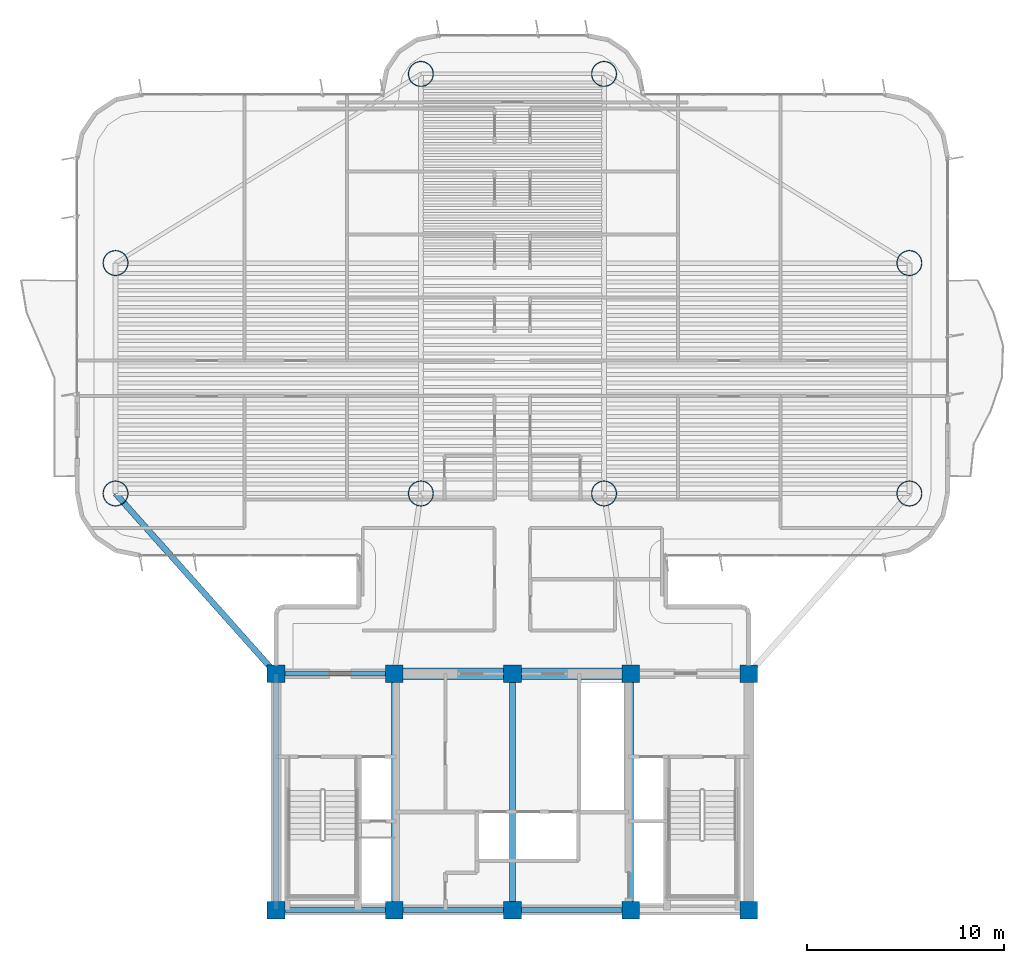
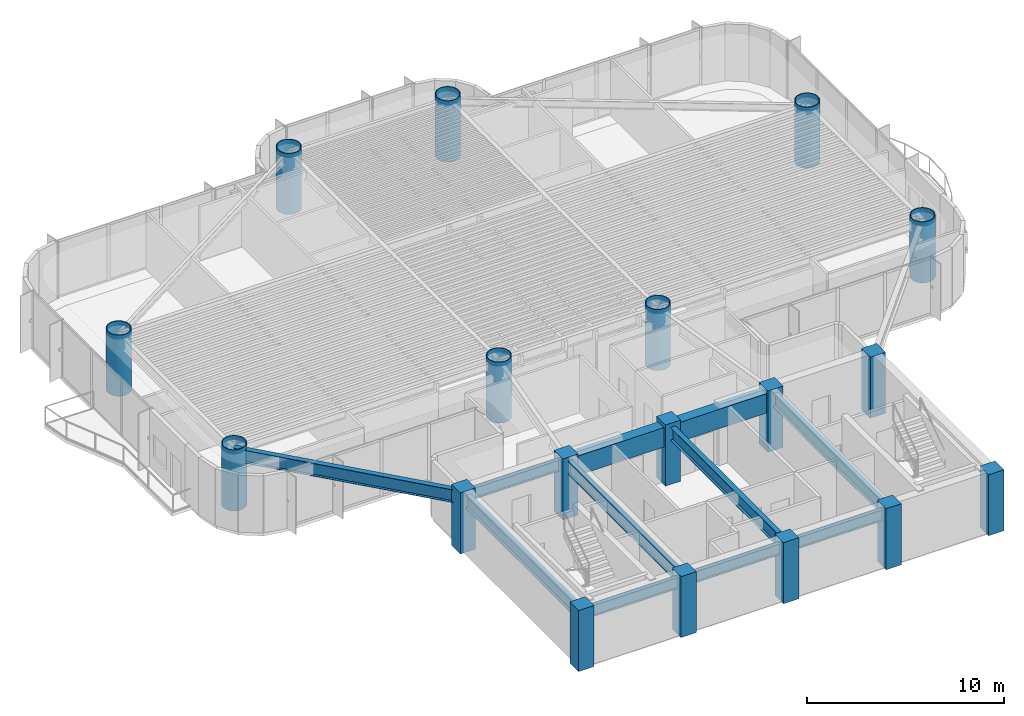
# One storey, part 1 of 16: 18 columns, 10 beams.
"""IFC4 building model written with IfcOpenShell, lengths in metres."""

import ifcopenshell
import ifcopenshell.guid

model = None  # the IFC model being written
_history = None  # IfcOwnerHistory: only IFC2X3 demands one
_inside = {}  # id of a spatial element -> (the spatial element, [elements in it])
_under = {}  # id of a project, library or spatial element -> (it, [spatial elements below it])
_declared = {}  # id of a project -> (the project, [libraries it declares])
_typed = {}  # id of a type object -> (the type object, [elements of that type])
_made_of = {}  # id of a material, layer set ... -> (it, [elements and type objects made of it])


def new_model(schema):
    """Start an empty IFC model of exactly this schema.

    Asked for "IFC4X3", IfcOpenShell would pick the latest addendum, in which some entities
    have other attributes; the version numbers below select the first issue.
    IFC2X3 requires an IfcOwnerHistory on every rooted entity: one is made here for all.
    """
    global model, _history
    if schema == "IFC4X3":
        model = ifcopenshell.file(schema_version=(4, 3, 0, 0))
    else:
        model = ifcopenshell.file(schema=schema)
    _inside.clear()
    _under.clear()
    _declared.clear()
    _typed.clear()
    _made_of.clear()
    _history = None
    if model.schema == "IFC2X3":
        org = make("IfcOrganization", Name="unknown")
        user = make(
            "IfcPersonAndOrganization",
            ThePerson=make("IfcPerson", FamilyName="unknown"),
            TheOrganization=org,
        )
        app = make(
            "IfcApplication",
            ApplicationDeveloper=org,
            Version="unknown",
            ApplicationFullName="unknown",
            ApplicationIdentifier="unknown",
        )
        _history = make(
            "IfcOwnerHistory",
            OwningUser=user,
            OwningApplication=app,
            ChangeAction="ADDED",
            CreationDate=0,
        )
    return model


def make(cls, **values):
    """One entity of the class cls with the attributes given. An attribute that is None is left unset."""
    return model.create_entity(
        cls, **{name: value for name, value in values.items() if value is not None}
    )


def rooted(cls, **values):
    """An entity with a GlobalId (a new one), such as an element, a storey or a relation."""
    return make(cls, GlobalId=ifcopenshell.guid.new(), OwnerHistory=_history, **values)


def si_unit(unit_type, name, prefix=None):
    """IfcSIUnit, for example si_unit("LENGTHUNIT", "METRE", prefix="MILLI")."""
    return make("IfcSIUnit", UnitType=unit_type, Prefix=prefix, Name=name)


def assignment(units):
    """IfcUnitAssignment: the units of a project."""
    return None if units is None else make("IfcUnitAssignment", Units=units)


def point(xyz):
    """IfcCartesianPoint."""
    return None if xyz is None else make("IfcCartesianPoint", Coordinates=xyz)


def direction(xyz):
    """IfcDirection."""
    return None if xyz is None else make("IfcDirection", DirectionRatios=xyz)


def frame(location, z_axis=None, x_axis=None):
    """IfcAxis2Placement3D, a coordinate frame: its origin and axes. An axis left out is left unset."""
    return make(
        "IfcAxis2Placement3D",
        Location=point(location),
        Axis=direction(z_axis),
        RefDirection=direction(x_axis),
    )


def frame_2d(location, x_axis=None):
    """IfcAxis2Placement2D, a coordinate frame in the plane: its origin and x axis."""
    return make(
        "IfcAxis2Placement2D", Location=point(location), RefDirection=direction(x_axis)
    )


def origin():
    """The frame at (0, 0, 0) with its axes left unset."""
    return frame((0.0, 0.0, 0.0))


def origin_2d():
    """The frame at (0, 0) in the plane with its x axis left unset."""
    return frame_2d((0.0, 0.0))


def place(relative_to, where):
    """IfcLocalPlacement: puts the frame where relative to a parent placement (None: the world)."""
    return make(
        "IfcLocalPlacement", PlacementRelTo=relative_to, RelativePlacement=where
    )


def context(
    kind, dimensions, precision=None, world=None, true_north=None, identifier=None
):
    """IfcGeometricRepresentationContext, for example the 3D "Model" context."""
    return make(
        "IfcGeometricRepresentationContext",
        ContextIdentifier=identifier,
        ContextType=kind,
        CoordinateSpaceDimension=dimensions,
        Precision=precision,
        WorldCoordinateSystem=world,
        TrueNorth=true_north,
    )


def subcontext(parent, identifier, kind, view, scale=None):
    """IfcGeometricRepresentationSubContext, for example "Body" below "Model"."""
    return make(
        "IfcGeometricRepresentationSubContext",
        ContextIdentifier=identifier,
        ContextType=kind,
        ParentContext=parent,
        TargetScale=scale,
        TargetView=view,
    )


def project(units=None, contexts=None):
    """IfcProject with its units and contexts."""
    return rooted(
        "IfcProject",
        Name="project",
        RepresentationContexts=contexts,
        UnitsInContext=assignment(units),
    )


def spatial(cls, under=None, at=None, **own):
    """A site, building, storey or space (cls), placed at a placement, below another one or the project."""
    s = rooted(cls, ObjectPlacement=at, **own)
    if under is not None:
        _under.setdefault(under.id(), (under, []))[1].append(s)
    return s


def profile(cls, at=None, kind="AREA", **sizes):
    """A parametric profile (cls). Its sizes go by their IFC names, for example OverallWidth=200.0."""
    return make(cls, ProfileType=kind, Position=at, **sizes)


def rectangle(**sizes):
    """IfcRectangleProfileDef."""
    return profile("IfcRectangleProfileDef", **sizes)


def hollow_circle(**sizes):
    """IfcCircleHollowProfileDef."""
    return profile("IfcCircleHollowProfileDef", **sizes)


def i_section(**sizes):
    """IfcIShapeProfileDef."""
    return profile("IfcIShapeProfileDef", **sizes)


def extrude(swept, where, along, depth):
    """IfcExtrudedAreaSolid: the profile swept, set in the frame where, extruded along a direction by depth."""
    return make(
        "IfcExtrudedAreaSolid",
        SweptArea=swept,
        Position=where,
        ExtrudedDirection=direction(along),
        Depth=depth,
    )


def shape(context_of_items, identifier, shape_type, items):
    """IfcShapeRepresentation: the items that make up one representation, for example the "Body"."""
    return make(
        "IfcShapeRepresentation",
        ContextOfItems=context_of_items,
        RepresentationIdentifier=identifier,
        RepresentationType=shape_type,
        Items=items,
    )


def source(mapping_origin, context_of_items, identifier, shape_type, items):
    """IfcRepresentationMap: a shape defined once, which mapped items show again and again."""
    return make(
        "IfcRepresentationMap",
        MappingOrigin=mapping_origin,
        MappedRepresentation=shape(context_of_items, identifier, shape_type, items),
    )


def transform(
    local_origin,
    x_axis=None,
    y_axis=None,
    z_axis=None,
    scale=None,
    scale2=None,
    scale3=None,
    uniform=True,
):
    """IfcCartesianTransformationOperator3D, or its non-uniform kind. x_axis, y_axis, z_axis: its Axis1, 2, 3."""
    if uniform:
        return make(
            "IfcCartesianTransformationOperator3D",
            Axis1=direction(x_axis),
            Axis2=direction(y_axis),
            LocalOrigin=point(local_origin),
            Scale=scale,
            Axis3=direction(z_axis),
        )
    return make(
        "IfcCartesianTransformationOperator3DnonUniform",
        Axis1=direction(x_axis),
        Axis2=direction(y_axis),
        LocalOrigin=point(local_origin),
        Scale=scale,
        Axis3=direction(z_axis),
        Scale2=scale2,
        Scale3=scale3,
    )


def mapped(mapping_source, mapping_target):
    """IfcMappedItem: shows the shape of a source again, moved by a transform."""
    return make(
        "IfcMappedItem", MappingSource=mapping_source, MappingTarget=mapping_target
    )


def material(Name=None, Category=None):
    """IfcMaterial."""
    return make("IfcMaterial", Name=Name, Category=Category)


def material_profile(
    of_material, cross_section, Name=None, Category=None, Priority=None
):
    """IfcMaterialProfile: a cross section and its material."""
    return make(
        "IfcMaterialProfile",
        Name=Name,
        Material=of_material,
        Profile=cross_section,
        Priority=Priority,
        Category=Category,
    )


def profile_set(profiles, Name=None, composite=None):
    """IfcMaterialProfileSet."""
    return make(
        "IfcMaterialProfileSet",
        Name=Name,
        MaterialProfiles=profiles,
        CompositeProfile=composite,
    )


def made_of(thing, what):
    """Note that an element or type object is made of a material, layer set ...; save() writes the relation."""
    if what is not None:
        _made_of.setdefault(what.id(), (what, []))[1].append(thing)
    return thing


def type_object(cls, material=None, **own):
    """A type object (cls), such as IfcWallType, which elements share."""
    return made_of(rooted(cls, **own), material)


def element(
    cls,
    number,
    at=None,
    inside=None,
    cuts=None,
    type_object=None,
    material=None,
    context=None,
    identifier="Body",
    shape_type=None,
    held_by="IfcProductDefinitionShape",
    body=None,
    shapes=None,
    **own,
):
    """One element of the class cls, such as IfcWall. Its Tag is "e" and its number.

    at: its placement. inside: the storey or other place that contains it. cuts: it is an
    opening in that element (IfcRelVoidsElement). A single representation is given by context,
    identifier, shape_type and body (its items); several are given by shapes. held_by: the class
    of the entity that holds the representations. save() writes the other relations.
    """
    e = rooted(cls, Tag="e%d" % number, ObjectPlacement=at, **own)
    if body is not None:
        shapes = [shape(context, identifier, shape_type, body)]
    if shapes is not None:
        e.Representation = make(held_by, Representations=shapes)
    if inside is not None:
        _inside.setdefault(inside.id(), (inside, []))[1].append(e)
    if cuts is not None:
        rooted(
            "IfcRelVoidsElement", RelatingBuildingElement=cuts, RelatedOpeningElement=e
        )
    if type_object is not None:
        _typed.setdefault(type_object.id(), (type_object, []))[1].append(e)
    return made_of(e, material)


def aggregate(whole, parts):
    """IfcRelAggregates: a whole, such as a stair, and the parts it consists of."""
    return rooted("IfcRelAggregates", RelatingObject=whole, RelatedObjects=parts)


def save(model, path):
    """Write the relations noted so far, then the file.

    IfcRelAggregates (storeys below a building ...), IfcRelContainedInSpatialStructure (elements
    in a storey), IfcRelDefinesByType, IfcRelAssociatesMaterial and IfcRelDeclares: one each for
    every whole, place, type object, material and project.
    """
    for whole, parts in _under.values():
        aggregate(whole, parts)
    for where, things in _inside.values():
        rooted(
            "IfcRelContainedInSpatialStructure",
            RelatedElements=things,
            RelatingStructure=where,
        )
    for kind, things in _typed.values():
        rooted("IfcRelDefinesByType", RelatedObjects=things, RelatingType=kind)
    for what, things in _made_of.values():
        rooted("IfcRelAssociatesMaterial", RelatedObjects=things, RelatingMaterial=what)
    for by, libraries in _declared.values():
        rooted("IfcRelDeclares", RelatingContext=by, RelatedDefinitions=libraries)
    model.write(path)


model = new_model("IFC4")

# Units and contexts
model_context = context("Model", 3, precision=1e-05, world=origin(), true_north=direction((0.0, 1.0)))
body_context = subcontext(model_context, "Body", "Model", "MODEL_VIEW")
ifc_project = project(units=[si_unit("LENGTHUNIT", "METRE"), si_unit("AREAUNIT", "SQUARE_METRE"), si_unit("VOLUMEUNIT", "CUBIC_METRE"), si_unit("PLANEANGLEUNIT", "RADIAN"), si_unit("MASSUNIT", "GRAM", prefix="KILO")], contexts=[model_context])

# Site, building, storey
site_placement = place(None, origin())
site = spatial("IfcSite", under=ifc_project, at=site_placement, CompositionType="ELEMENT")
building_placement = place(site_placement, origin())
building = spatial("IfcBuilding", under=site, at=building_placement, Name="Brelvock Crest Care Tower", CompositionType="ELEMENT")
storey_placement = place(building_placement, frame((0.0, 0.0, 104.93994140625)))
storey = spatial("IfcBuildingStorey", under=building, at=storey_placement, Name="L26", CompositionType="ELEMENT", Elevation=104.93994140625)

# Columns
ifc_material_1 = material(Name="Concrete S80 (80 MPa)", Category="concrete")
ifc_material_profile_1 = material_profile(ifc_material_1, rectangle(XDim=0.89990234375, YDim=0.89990234375, at=origin_2d()), Name="RC900x900")
ifc_profile_set_1 = profile_set([ifc_material_profile_1], Name="Concrete S80 (80 MPa)")
column_type_1 = type_object("IfcColumnType", Name="COL-RC2", PredefinedType="COLUMN", material=ifc_profile_set_1)
shared_shape_1 = source(origin(), body_context, "Body", "SweptSolid", [
    extrude(rectangle(XDim=0.89990234375, YDim=0.89990234375, at=origin_2d()), origin(), (0.0, 0.0, 1.0), 3.780029296875),
])
for number, where, z_axis, x_axis, name in (
    (1, (24.0, 6.0, 0.0), (0.0, 0.0, 1.0), (1.0, 0.0, 0.0), "L26 Core Column CC-01"),
    (2, (30.0, 6.0, 0.0), (0.0, 0.0, 1.0), (1.0, 0.0, 0.0), "L26 Core Column CC-02"),
    (3, (36.0, 6.0, 0.0), (0.0, 0.0, 1.0), (1.0, 0.0, 0.0), "L26 Core Column CC-03"),
    (4, (42.0, 6.0, 0.0), (0.0, 0.0, 1.0), (1.0, 0.0, 0.0), "L26 Core Column CC-04"),
    (5, (48.0, 6.0, 0.0), (0.0, 0.0, 1.0), (1.0, 0.0, 0.0), "L26 Core Column CC-05"),
    (6, (24.0, 18.0, 0.0), (0.0, 0.0, 1.0), (1.0, 0.0, 0.0), "L26 Core Column CC-06"),
    (7, (30.0, 18.0, 0.0), (0.0, 0.0, 1.0), (1.0, 0.0, 0.0), "L26 Core Column CC-07"),
    (8, (36.0, 18.0, 0.0), (0.0, 0.0, 1.0), (1.0, 0.0, 0.0), "L26 Core Column CC-08"),
    (9, (42.0, 18.0, 0.0), (0.0, 0.0, 1.0), (1.0, 0.0, 0.0), "L26 Core Column CC-09"),
    (10, (48.0, 18.0, 0.0), (0.0, 0.0, 1.0), (1.0, 0.0, 0.0), "L26 Core Column CC-10"),
):
    element("IfcColumn", number, at=place(storey_placement, frame(where, z_axis=z_axis, x_axis=x_axis)), inside=storey, type_object=column_type_1, Name=name, PredefinedType="COLUMN", context=body_context, shape_type="MappedRepresentation", body=[
        mapped(shared_shape_1, transform((0.0, 0.0, 0.0), x_axis=(1.0, 0.0, 0.0), y_axis=(0.0, 1.0, 0.0), z_axis=(0.0, 0.0, 1.0), scale=1.0)),
    ])
ifc_material_2 = material(Name="Steel Grade 350", Category="steel")
ifc_material_profile_2 = material_profile(ifc_material_2, hollow_circle(Radius=0.64990234375, WallThickness=0.044921875, at=origin_2d()), Name="CFT1300x45")
ifc_profile_set_2 = profile_set([ifc_material_profile_2], Name="Steel Grade 350")
column_type_2 = type_object("IfcColumnType", Name="COL-MC2", PredefinedType="COLUMN", material=ifc_profile_set_2)
shared_shape_2 = source(origin(), body_context, "Body", "SweptSolid", [
    extrude(hollow_circle(Radius=0.64990234375, WallThickness=0.044921875, at=origin_2d()), origin(), (0.0, 0.0, 1.0), 3.780029296875),
])
for number, where, z_axis, x_axis, name in (
    (11, (15.85009765625, 27.14990234375, 0.0), (0.0, 0.0, 1.0), (1.0, 0.0, 0.0), "L26 Tower Column M1"),
    (12, (15.85009765625, 38.85009765625, 0.0), (0.0, 0.0, 1.0), (1.0, 0.0, 0.0), "L26 Tower Column M2"),
    (13, (56.14990234375, 27.14990234375, 0.0), (0.0, 0.0, 1.0), (1.0, 0.0, 0.0), "L26 Tower Column M3"),
    (14, (56.14990234375, 38.85009765625, 0.0), (0.0, 0.0, 1.0), (1.0, 0.0, 0.0), "L26 Tower Column M4"),
    (15, (31.35009765625, 27.14990234375, 0.0), (0.0, 0.0, 1.0), (1.0, 0.0, 0.0), "L26 Tower Column M5"),
    (16, (40.64990234375, 27.14990234375, 0.0), (0.0, 0.0, 1.0), (1.0, 0.0, 0.0), "L26 Tower Column M6"),
    (17, (31.35009765625, 48.449951171875, 0.0), (0.0, 0.0, 1.0), (1.0, 0.0, 0.0), "L26 Tower Column M7"),
    (18, (40.64990234375, 48.449951171875, 0.0), (0.0, 0.0, 1.0), (1.0, 0.0, 0.0), "L26 Tower Column M8"),
):
    element("IfcColumn", number, at=place(storey_placement, frame(where, z_axis=z_axis, x_axis=x_axis)), inside=storey, type_object=column_type_2, Name=name, PredefinedType="COLUMN", context=body_context, shape_type="MappedRepresentation", body=[
        mapped(shared_shape_2, transform((0.0, 0.0, 0.0), x_axis=(1.0, 0.0, 0.0), y_axis=(0.0, 1.0, 0.0), z_axis=(0.0, 0.0, 1.0), scale=1.0)),
    ])

# Beams
ifc_material_profile_3 = material_profile(ifc_material_1, rectangle(XDim=0.60009765625, YDim=1.199951171875, at=origin_2d()), Name="RC600x1200")
ifc_profile_set_3 = profile_set([ifc_material_profile_3], Name="Concrete S80 (80 MPa)")
beam_type_1 = type_object("IfcBeamType", Name="BM-LN1", PredefinedType="LINTEL", material=ifc_profile_set_3)
shared_shape_3 = source(origin(), body_context, "Body", "SweptSolid", [
    extrude(rectangle(XDim=0.60009765625, YDim=1.199951171875, at=origin_2d()), origin(), (0.0, 0.0, 1.0), 12.0),
])
beam_1_placement = place(storey_placement, frame((30.0, 18.0, 2.93017578125), z_axis=(1.0, 0.0, 0.0), x_axis=(0.0, 1.0, 0.0)))
element("IfcBeam", 19, at=beam_1_placement, inside=storey, type_object=beam_type_1, Name="L26 Core Coupling Lintel Beam", PredefinedType="LINTEL", context=body_context, shape_type="MappedRepresentation", body=[
    mapped(shared_shape_3, transform((0.0, 0.0, 0.0), x_axis=(1.0, 0.0, 0.0), y_axis=(0.0, 1.0, 0.0), z_axis=(0.0, 0.0, 1.0), scale=1.0)),
])
ifc_material_profile_4 = material_profile(ifc_material_2, i_section(OverallWidth=0.25, OverallDepth=0.699951171875, WebThickness=0.011962890625, FlangeThickness=0.02001953125, at=origin_2d()), Name="700WB150")
ifc_profile_set_4 = profile_set([ifc_material_profile_4], Name="Steel Grade 350")
beam_type_2 = type_object("IfcBeamType", Name="BM-G4", PredefinedType="BEAM", material=ifc_profile_set_4)
shared_shape_4 = source(origin(), body_context, "Body", "SweptSolid", [
    extrude(i_section(OverallWidth=0.25, OverallDepth=0.699951171875, WebThickness=0.011962890625, FlangeThickness=0.02001953125, at=origin_2d()), origin(), (0.0, 0.0, 1.0), 6.0),
])
for number, where, z_axis, x_axis, name in (
    (20, (24.0, 6.0, 3.18017578125), (1.0, 0.0, 0.0), (0.0, 1.0, 0.0), "BM-CORES-L26-1"),
    (21, (24.0, 18.0, 3.18017578125), (1.0, 0.0, 0.0), (0.0, 1.0, 0.0), "BM-COREN-L26-1"),
    (22, (30.0, 6.0, 3.18017578125), (1.0, 0.0, 0.0), (0.0, 1.0, 0.0), "BM-CORES-L26-2"),
    (23, (36.0, 6.0, 3.18017578125), (1.0, 0.0, 0.0), (0.0, 1.0, 0.0), "BM-CORES-L26-3"),
):
    element("IfcBeam", number, at=place(storey_placement, frame(where, z_axis=z_axis, x_axis=x_axis)), inside=storey, type_object=beam_type_2, Name=name, PredefinedType="BEAM", context=body_context, shape_type="MappedRepresentation", body=[
        mapped(shared_shape_4, transform((0.0, 0.0, 0.0), x_axis=(1.0, 0.0, 0.0), y_axis=(0.0, 1.0, 0.0), z_axis=(0.0, 0.0, 1.0), scale=1.0)),
    ])
ifc_material_profile_5 = material_profile(ifc_material_2, i_section(OverallWidth=0.300048828125, OverallDepth=0.800048828125, WebThickness=0.013916015625, FlangeThickness=0.02197265625, at=origin_2d()), Name="800WB192")
ifc_profile_set_5 = profile_set([ifc_material_profile_5], Name="Steel Grade 350")
beam_type_3 = type_object("IfcBeamType", Name="BM-G5", PredefinedType="BEAM", material=ifc_profile_set_5)
shared_shape_5 = source(origin(), body_context, "Body", "SweptSolid", [
    extrude(i_section(OverallWidth=0.300048828125, OverallDepth=0.800048828125, WebThickness=0.013916015625, FlangeThickness=0.02197265625, at=origin_2d()), origin(), (0.0, 0.0, 1.0), 12.0),
])
for number, where, z_axis, x_axis, name in (
    (24, (24.0, 6.0, 3.130126953125), (0.0, 1.0, 0.0), (-1.0, 0.0, 0.0), "BM-COREX-L26-1"),
    (25, (30.0, 6.0, 3.130126953125), (0.0, 1.0, 0.0), (-1.0, 0.0, 0.0), "BM-COREX-L26-2"),
    (26, (36.0, 6.0, 3.130126953125), (0.0, 1.0, 0.0), (-1.0, 0.0, 0.0), "BM-COREX-L26-3"),
    (27, (42.0, 6.0, 3.130126953125), (0.0, 1.0, 0.0), (-1.0, 0.0, 0.0), "BM-COREX-L26-4"),
):
    element("IfcBeam", number, at=place(storey_placement, frame(where, z_axis=z_axis, x_axis=x_axis)), inside=storey, type_object=beam_type_3, Name=name, PredefinedType="BEAM", context=body_context, shape_type="MappedRepresentation", body=[
        mapped(shared_shape_5, transform((0.0, 0.0, 0.0), x_axis=(1.0, 0.0, 0.0), y_axis=(0.0, 1.0, 0.0), z_axis=(0.0, 0.0, 1.0), scale=1.0)),
    ])
shared_shape_6 = source(origin(), body_context, "Body", "SweptSolid", [
    extrude(i_section(OverallWidth=0.300048828125, OverallDepth=0.800048828125, WebThickness=0.013916015625, FlangeThickness=0.02197265625, at=origin_2d()), origin(), (0.0, 0.0, 1.0), 12.253173828125),
])
beam_2_placement = place(storey_placement, frame((24.0, 18.0, 3.130126953125), z_axis=(-0.665122829149, 0.746733970129, 0.0), x_axis=(-0.746733970129, -0.665122829149, 0.0)))
element("IfcBeam", 28, at=beam_2_placement, inside=storey, type_object=beam_type_3, Name="BM-THRO-W-L26", PredefinedType="BEAM", context=body_context, shape_type="MappedRepresentation", body=[
    mapped(shared_shape_6, transform((0.0, 0.0, 0.0), x_axis=(1.0, 0.0, 0.0), y_axis=(0.0, 1.0, 0.0), z_axis=(0.0, 0.0, 1.0), scale=1.0)),
])

save(model, "model.ifc")
